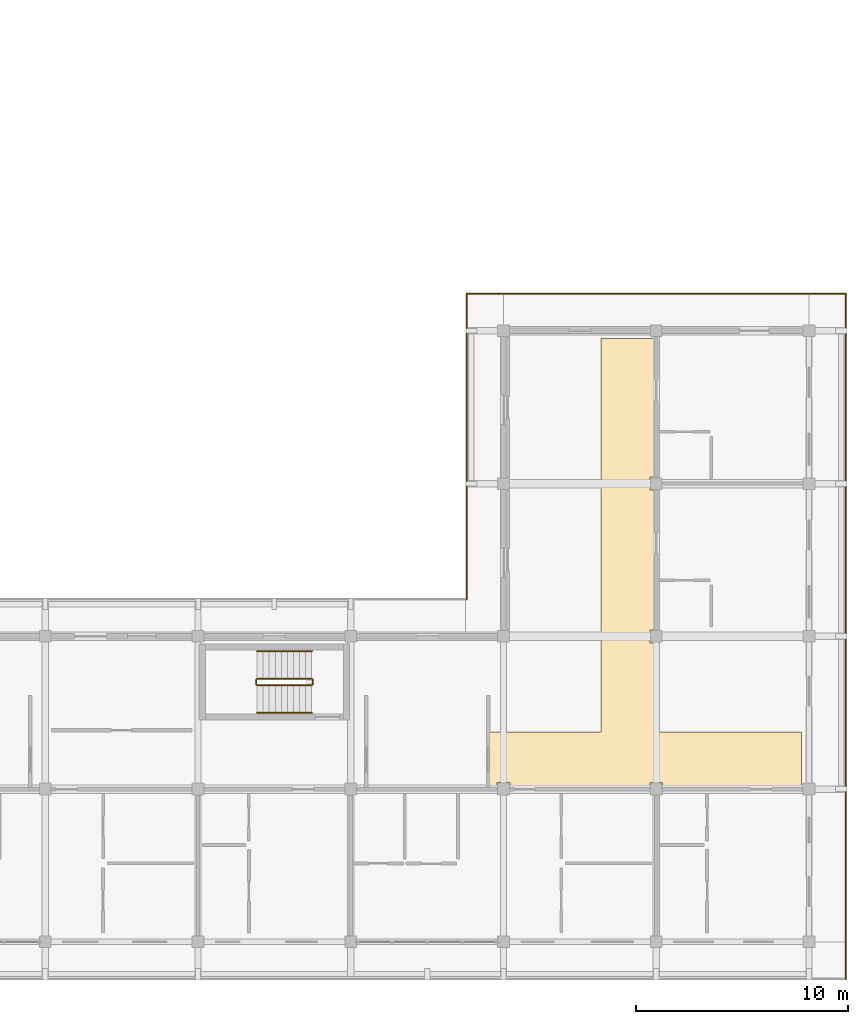
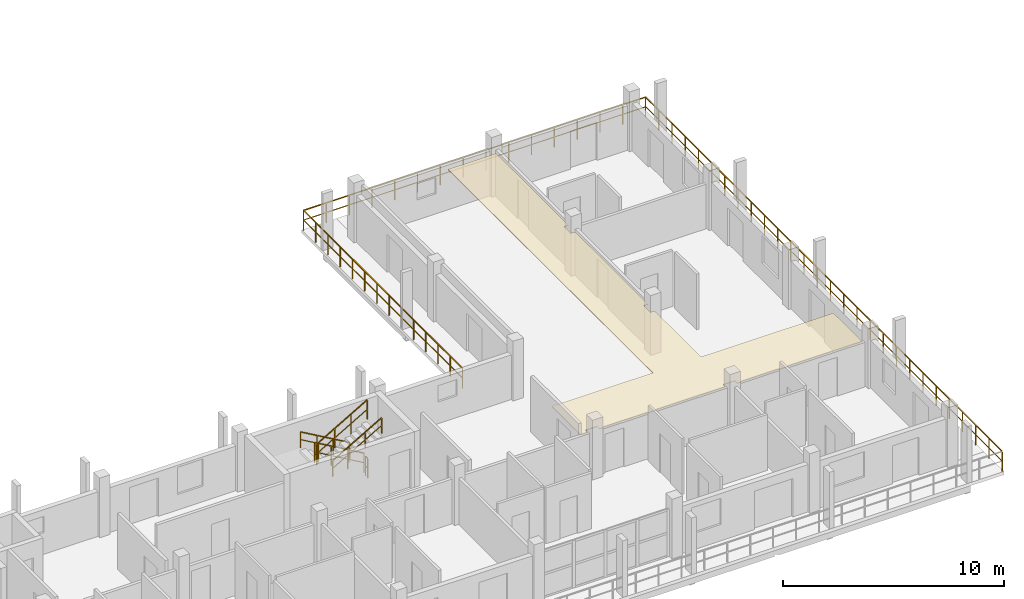
# One storey, part 56 of 60: 9 railings, 1 covering.
"""IFC4 building model written with IfcOpenShell, lengths in metres."""

from ifc_helpers import new_model, si_unit, direction, frame, origin, origin_2d, place, context, subcontext, project, spatial, polyline, rectangle, outline, extrude, material, layer, layer_set, type_object, element, save


model = new_model("IFC4")

# Units and contexts
model_context = context("Model", 3, precision=1e-05, world=origin(), true_north=direction((0.0, 1.0)))
body_context = subcontext(model_context, "Body", "Model", "MODEL_VIEW")
ifc_project = project(units=[si_unit("LENGTHUNIT", "METRE"), si_unit("AREAUNIT", "SQUARE_METRE"), si_unit("VOLUMEUNIT", "CUBIC_METRE"), si_unit("PLANEANGLEUNIT", "RADIAN"), si_unit("MASSUNIT", "GRAM", prefix="KILO")], contexts=[model_context])

# Site, building, storey
site_placement = place(None, origin())
site = spatial("IfcSite", under=ifc_project, at=site_placement, CompositionType="ELEMENT")
building_placement = place(site_placement, origin())
building = spatial("IfcBuilding", under=site, at=building_placement, Name="Suanplinth Sawtooth Commons", CompositionType="ELEMENT")
storey_placement = place(building_placement, frame((0.0, 0.0, 31.5)))
storey = spatial("IfcBuildingStorey", under=building, at=storey_placement, Name="L09", CompositionType="ELEMENT", Elevation=31.5)

# Covering
ifc_material_1 = material(Name="Mineral fibre acoustic tile")
ifc_layer = layer(ifc_material_1, 0.0400390625, Name="Perforated mineral-fibre acoustic suspended ceiling")
ifc_layer_set = layer_set([ifc_layer], Name="Mineral fibre acoustic tile")
covering_type = type_object("IfcCoveringType", Name="CV-CE01", PredefinedType="CEILING", material=ifc_layer_set)
covering_placement = place(storey_placement, frame((0.0, 0.0, 2.3798828125)))
element("IfcCovering", 1, at=covering_placement, inside=storey, type_object=covering_type, Name="L09 Block C Corridor Acoustic Ceiling", PredefinedType="CEILING", context=body_context, shape_type="SweptSolid", body=[
    extrude(outline(polyline([(172.1201171875, 9.89990234375), (177.39990234375, 9.89990234375), (177.39990234375, 28.43994140625), (179.919921875, 28.43994140625), (179.919921875, 21.905029296875), (179.695068359375, 21.905029296875), (179.695068359375, 21.294921875), (179.919921875, 21.294921875), (179.919921875, 14.705078125), (179.695068359375, 14.705078125), (179.695068359375, 14.094970703125), (179.919921875, 14.094970703125), (179.919921875, 9.89990234375), (186.840087890625, 9.89990234375), (186.840087890625, 7.280029296875), (180.304931640625, 7.280029296875), (180.304931640625, 7.5048828125), (179.695068359375, 7.5048828125), (179.695068359375, 7.280029296875), (173.10498046875, 7.280029296875), (173.10498046875, 7.5048828125), (172.4951171875, 7.5048828125), (172.4951171875, 7.280029296875), (172.1201171875, 7.280029296875), (172.1201171875, 9.89990234375)])), origin(), (0.0, 0.0, 1.0), 0.0400390625),
])

# Railings
ifc_material_2 = material(Name="Powder-coated galvanized steel", Category="steel")
railing_type_1 = type_object("IfcRailingType", Name="GR-01", PredefinedType="BALUSTRADE", material=ifc_material_2)
railing_1_placement = place(storey_placement, frame((171.06005859375, 16.139892578125, 0.0)))
element("IfcRailing", 2, at=railing_1_placement, inside=storey, type_object=railing_type_1, Name="L09 Block C Perimeter Balustrade 3", PredefinedType="BALUSTRADE", context=body_context, shape_type="SweptSolid", body=[
    extrude(rectangle(XDim=0.048095703125, YDim=0.048095703125, at=origin_2d()), frame((0.0, 0.0, 1.09619140625), z_axis=(0.0, 1.0, 0.0), x_axis=(-1.0, 0.0, 0.0)), (0.0, 0.0, 1.0), 14.400146484375),
    extrude(rectangle(XDim=0.03369140625, YDim=0.03369140625, at=origin_2d()), frame((0.0, 0.0, 0.56005859375), z_axis=(0.0, 1.0, 0.0), x_axis=(-1.0, 0.0, 0.0)), (0.0, 0.0, 1.0), 14.400146484375),
    extrude(rectangle(XDim=0.0419921875, YDim=0.0419921875, at=origin_2d()), origin(), (0.0, 0.0, 1.0), 1.072021484375),
    extrude(rectangle(XDim=0.0419921875, YDim=0.0419921875, at=origin_2d()), frame((0.0, 1.107666015625, 0.0)), (0.0, 0.0, 1.0), 1.072021484375),
    extrude(rectangle(XDim=0.0419921875, YDim=0.0419921875, at=origin_2d()), frame((0.0, 2.21533203125, 0.0)), (0.0, 0.0, 1.0), 1.072021484375),
    extrude(rectangle(XDim=0.0419921875, YDim=0.0419921875, at=origin_2d()), frame((0.0, 3.322998046875, 0.0)), (0.0, 0.0, 1.0), 1.072021484375),
    extrude(rectangle(XDim=0.0419921875, YDim=0.0419921875, at=origin_2d()), frame((0.0, 4.430908203125, 0.0)), (0.0, 0.0, 1.0), 1.072021484375),
    extrude(rectangle(XDim=0.0419921875, YDim=0.0419921875, at=origin_2d()), frame((0.0, 5.53857421875, 0.0)), (0.0, 0.0, 1.0), 1.072021484375),
    extrude(rectangle(XDim=0.0419921875, YDim=0.0419921875, at=origin_2d()), frame((0.0, 6.646240234375, 0.0)), (0.0, 0.0, 1.0), 1.072021484375),
    extrude(rectangle(XDim=0.0419921875, YDim=0.0419921875, at=origin_2d()), frame((0.0, 7.75390625, 0.0)), (0.0, 0.0, 1.0), 1.072021484375),
    extrude(rectangle(XDim=0.0419921875, YDim=0.0419921875, at=origin_2d()), frame((0.0, 8.861572265625, 0.0)), (0.0, 0.0, 1.0), 1.072021484375),
    extrude(rectangle(XDim=0.0419921875, YDim=0.0419921875, at=origin_2d()), frame((0.0, 9.96923828125, 0.0)), (0.0, 0.0, 1.0), 1.072021484375),
    extrude(rectangle(XDim=0.0419921875, YDim=0.0419921875, at=origin_2d()), frame((0.0, 11.0771484375, 0.0)), (0.0, 0.0, 1.0), 1.072021484375),
    extrude(rectangle(XDim=0.0419921875, YDim=0.0419921875, at=origin_2d()), frame((0.0, 12.184814453125, 0.0)), (0.0, 0.0, 1.0), 1.072021484375),
    extrude(rectangle(XDim=0.0419921875, YDim=0.0419921875, at=origin_2d()), frame((0.0, 13.29248046875, 0.0)), (0.0, 0.0, 1.0), 1.072021484375),
    extrude(rectangle(XDim=0.0419921875, YDim=0.0419921875, at=origin_2d()), frame((0.0, 14.400146484375, 0.0)), (0.0, 0.0, 1.0), 1.072021484375),
])
railing_2_placement = place(storey_placement, frame((171.06005859375, 30.5400390625, 0.0)))
element("IfcRailing", 3, at=railing_2_placement, inside=storey, type_object=railing_type_1, Name="L09 Block C Perimeter Balustrade 4", PredefinedType="BALUSTRADE", context=body_context, shape_type="SweptSolid", body=[
    extrude(rectangle(XDim=0.048095703125, YDim=0.048095703125, at=origin_2d()), frame((0.0, 0.0, 1.09619140625), z_axis=(1.0, 0.0, 0.0), x_axis=(0.0, 1.0, 0.0)), (0.0, 0.0, 1.0), 17.8798828125),
    extrude(rectangle(XDim=0.03369140625, YDim=0.03369140625, at=origin_2d()), frame((0.0, 0.0, 0.56005859375), z_axis=(1.0, 0.0, 0.0), x_axis=(0.0, 1.0, 0.0)), (0.0, 0.0, 1.0), 17.8798828125),
    extrude(rectangle(XDim=0.0419921875, YDim=0.0419921875, at=origin_2d()), origin(), (0.0, 0.0, 1.0), 1.072021484375),
    extrude(rectangle(XDim=0.0419921875, YDim=0.0419921875, at=origin_2d()), frame((1.19189453125, 0.0, 0.0)), (0.0, 0.0, 1.0), 1.072021484375),
    extrude(rectangle(XDim=0.0419921875, YDim=0.0419921875, at=origin_2d()), frame((2.384033203125, 0.0, 0.0)), (0.0, 0.0, 1.0), 1.072021484375),
    extrude(rectangle(XDim=0.0419921875, YDim=0.0419921875, at=origin_2d()), frame((3.575927734375, 0.0, 0.0)), (0.0, 0.0, 1.0), 1.072021484375),
    extrude(rectangle(XDim=0.0419921875, YDim=0.0419921875, at=origin_2d()), frame((4.76806640625, 0.0, 0.0)), (0.0, 0.0, 1.0), 1.072021484375),
    extrude(rectangle(XDim=0.0419921875, YDim=0.0419921875, at=origin_2d()), frame((5.9599609375, 0.0, 0.0)), (0.0, 0.0, 1.0), 1.072021484375),
    extrude(rectangle(XDim=0.0419921875, YDim=0.0419921875, at=origin_2d()), frame((7.15185546875, 0.0, 0.0)), (0.0, 0.0, 1.0), 1.072021484375),
    extrude(rectangle(XDim=0.0419921875, YDim=0.0419921875, at=origin_2d()), frame((8.343994140625, 0.0, 0.0)), (0.0, 0.0, 1.0), 1.072021484375),
    extrude(rectangle(XDim=0.0419921875, YDim=0.0419921875, at=origin_2d()), frame((9.535888671875, 0.0, 0.0)), (0.0, 0.0, 1.0), 1.072021484375),
    extrude(rectangle(XDim=0.0419921875, YDim=0.0419921875, at=origin_2d()), frame((10.72802734375, 0.0, 0.0)), (0.0, 0.0, 1.0), 1.072021484375),
    extrude(rectangle(XDim=0.0419921875, YDim=0.0419921875, at=origin_2d()), frame((11.919921875, 0.0, 0.0)), (0.0, 0.0, 1.0), 1.072021484375),
    extrude(rectangle(XDim=0.0419921875, YDim=0.0419921875, at=origin_2d()), frame((13.11181640625, 0.0, 0.0)), (0.0, 0.0, 1.0), 1.072021484375),
    extrude(rectangle(XDim=0.0419921875, YDim=0.0419921875, at=origin_2d()), frame((14.303955078125, 0.0, 0.0)), (0.0, 0.0, 1.0), 1.072021484375),
    extrude(rectangle(XDim=0.0419921875, YDim=0.0419921875, at=origin_2d()), frame((15.495849609375, 0.0, 0.0)), (0.0, 0.0, 1.0), 1.072021484375),
    extrude(rectangle(XDim=0.0419921875, YDim=0.0419921875, at=origin_2d()), frame((16.68798828125, 0.0, 0.0)), (0.0, 0.0, 1.0), 1.072021484375),
    extrude(rectangle(XDim=0.0419921875, YDim=0.0419921875, at=origin_2d()), frame((17.8798828125, 0.0, 0.0)), (0.0, 0.0, 1.0), 1.072021484375),
])
railing_3_placement = place(storey_placement, frame((188.93994140625, 30.5400390625, 0.0)))
element("IfcRailing", 4, at=railing_3_placement, inside=storey, type_object=railing_type_1, Name="L09 Block C Perimeter Balustrade 5", PredefinedType="BALUSTRADE", context=body_context, shape_type="SweptSolid", body=[
    extrude(rectangle(XDim=0.048095703125, YDim=0.048095703125, at=origin_2d()), frame((0.0, 0.0, 1.09619140625), z_axis=(0.0, -1.0, 0.0), x_axis=(1.0, 0.0, 0.0)), (0.0, 0.0, 1.0), 32.280029296875),
    extrude(rectangle(XDim=0.03369140625, YDim=0.03369140625, at=origin_2d()), frame((0.0, 0.0, 0.56005859375), z_axis=(0.0, -1.0, 0.0), x_axis=(1.0, 0.0, 0.0)), (0.0, 0.0, 1.0), 32.280029296875),
    extrude(rectangle(XDim=0.0419921875, YDim=0.0419921875, at=origin_2d()), origin(), (0.0, 0.0, 1.0), 1.072021484375),
    extrude(rectangle(XDim=0.0419921875, YDim=0.0419921875, at=origin_2d()), frame((0.0, -1.195556640625, 0.0)), (0.0, 0.0, 1.0), 1.072021484375),
    extrude(rectangle(XDim=0.0419921875, YDim=0.0419921875, at=origin_2d()), frame((0.0, -2.39111328125, 0.0)), (0.0, 0.0, 1.0), 1.072021484375),
    extrude(rectangle(XDim=0.0419921875, YDim=0.0419921875, at=origin_2d()), frame((0.0, -3.586669921875, 0.0)), (0.0, 0.0, 1.0), 1.072021484375),
    extrude(rectangle(XDim=0.0419921875, YDim=0.0419921875, at=origin_2d()), frame((0.0, -4.7822265625, 0.0)), (0.0, 0.0, 1.0), 1.072021484375),
    extrude(rectangle(XDim=0.0419921875, YDim=0.0419921875, at=origin_2d()), frame((0.0, -5.977783203125, 0.0)), (0.0, 0.0, 1.0), 1.072021484375),
    extrude(rectangle(XDim=0.0419921875, YDim=0.0419921875, at=origin_2d()), frame((0.0, -7.17333984375, 0.0)), (0.0, 0.0, 1.0), 1.072021484375),
    extrude(rectangle(XDim=0.0419921875, YDim=0.0419921875, at=origin_2d()), frame((0.0, -8.368896484375, 0.0)), (0.0, 0.0, 1.0), 1.072021484375),
    extrude(rectangle(XDim=0.0419921875, YDim=0.0419921875, at=origin_2d()), frame((0.0, -9.564453125, 0.0)), (0.0, 0.0, 1.0), 1.072021484375),
    extrude(rectangle(XDim=0.0419921875, YDim=0.0419921875, at=origin_2d()), frame((0.0, -10.760009765625, 0.0)), (0.0, 0.0, 1.0), 1.072021484375),
    extrude(rectangle(XDim=0.0419921875, YDim=0.0419921875, at=origin_2d()), frame((0.0, -11.95556640625, 0.0)), (0.0, 0.0, 1.0), 1.072021484375),
    extrude(rectangle(XDim=0.0419921875, YDim=0.0419921875, at=origin_2d()), frame((0.0, -13.151123046875, 0.0)), (0.0, 0.0, 1.0), 1.072021484375),
    extrude(rectangle(XDim=0.0419921875, YDim=0.0419921875, at=origin_2d()), frame((0.0, -14.3466796875, 0.0)), (0.0, 0.0, 1.0), 1.072021484375),
    extrude(rectangle(XDim=0.0419921875, YDim=0.0419921875, at=origin_2d()), frame((0.0, -15.542236328125, 0.0)), (0.0, 0.0, 1.0), 1.072021484375),
    extrude(rectangle(XDim=0.0419921875, YDim=0.0419921875, at=origin_2d()), frame((0.0, -16.73779296875, 0.0)), (0.0, 0.0, 1.0), 1.072021484375),
    extrude(rectangle(XDim=0.0419921875, YDim=0.0419921875, at=origin_2d()), frame((0.0, -17.933349609375, 0.0)), (0.0, 0.0, 1.0), 1.072021484375),
    extrude(rectangle(XDim=0.0419921875, YDim=0.0419921875, at=origin_2d()), frame((0.0, -19.12890625, 0.0)), (0.0, 0.0, 1.0), 1.072021484375),
    extrude(rectangle(XDim=0.0419921875, YDim=0.0419921875, at=origin_2d()), frame((0.0, -20.324462890625, 0.0)), (0.0, 0.0, 1.0), 1.072021484375),
    extrude(rectangle(XDim=0.0419921875, YDim=0.0419921875, at=origin_2d()), frame((0.0, -21.52001953125, 0.0)), (0.0, 0.0, 1.0), 1.072021484375),
    extrude(rectangle(XDim=0.0419921875, YDim=0.0419921875, at=origin_2d()), frame((0.0, -22.715576171875, 0.0)), (0.0, 0.0, 1.0), 1.072021484375),
    extrude(rectangle(XDim=0.0419921875, YDim=0.0419921875, at=origin_2d()), frame((0.0, -23.9111328125, 0.0)), (0.0, 0.0, 1.0), 1.072021484375),
    extrude(rectangle(XDim=0.0419921875, YDim=0.0419921875, at=origin_2d()), frame((0.0, -25.106689453125, 0.0)), (0.0, 0.0, 1.0), 1.072021484375),
    extrude(rectangle(XDim=0.0419921875, YDim=0.0419921875, at=origin_2d()), frame((0.0, -26.30224609375, 0.0)), (0.0, 0.0, 1.0), 1.072021484375),
    extrude(rectangle(XDim=0.0419921875, YDim=0.0419921875, at=origin_2d()), frame((0.0, -27.497802734375, 0.0)), (0.0, 0.0, 1.0), 1.072021484375),
    extrude(rectangle(XDim=0.0419921875, YDim=0.0419921875, at=origin_2d()), frame((0.0, -28.693359375, 0.0)), (0.0, 0.0, 1.0), 1.072021484375),
    extrude(rectangle(XDim=0.0419921875, YDim=0.0419921875, at=origin_2d()), frame((0.0, -29.888916015625, 0.0)), (0.0, 0.0, 1.0), 1.072021484375),
    extrude(rectangle(XDim=0.0419921875, YDim=0.0419921875, at=origin_2d()), frame((0.0, -31.08447265625, 0.0)), (0.0, 0.0, 1.0), 1.072021484375),
    extrude(rectangle(XDim=0.0419921875, YDim=0.0419921875, at=origin_2d()), frame((0.0, -32.280029296875, 0.0)), (0.0, 0.0, 1.0), 1.072021484375),
])
ifc_material_3 = material(Name="Stainless steel Grade 304", Category="steel")
railing_type_2 = type_object("IfcRailingType", Name="GR-04", PredefinedType="GUARDRAIL", material=ifc_material_3)
railing_4_placement = place(storey_placement, frame((163.75, 12.39990234375, 0.1650390625)))
element("IfcRailing", 5, at=railing_4_placement, inside=storey, type_object=railing_type_2, Name="L09 ST-S2 Guard 1", PredefinedType="GUARDRAIL", context=body_context, shape_type="SweptSolid", body=[
    extrude(rectangle(XDim=0.048095703125, YDim=0.048095703125, at=origin_2d()), frame((0.0, 0.0, 1.076171875), z_axis=(-0.865441324677, 0.0, 0.50101029285), x_axis=(0.0, -1.0, 0.0)), (0.0, 0.0, 1.0), 2.963623046875),
    extrude(rectangle(XDim=0.03369140625, YDim=0.03369140625, at=origin_2d()), frame((0.0, 0.0, 0.550048828125), z_axis=(-0.865441324677, 0.0, 0.50101029285), x_axis=(0.0, -1.0, 0.0)), (0.0, 0.0, 1.0), 2.963623046875),
    extrude(rectangle(XDim=0.0419921875, YDim=0.0419921875, at=origin_2d()), origin(), (0.0, 0.0, 1.0), 1.052001953125),
    extrude(rectangle(XDim=0.0419921875, YDim=0.0419921875, at=origin_2d()), frame((-0.85498046875, 0.0, 0.494873046875)), (0.0, 0.0, 1.0), 1.052001953125),
    extrude(rectangle(XDim=0.0419921875, YDim=0.0419921875, at=origin_2d()), frame((-1.7099609375, 0.0, 0.989990234375)), (0.0, 0.0, 1.0), 1.052001953125),
    extrude(rectangle(XDim=0.0419921875, YDim=0.0419921875, at=origin_2d()), frame((-2.56494140625, 0.0, 1.48486328125)), (0.0, 0.0, 1.0), 1.052001953125),
])
railing_5_placement = place(storey_placement, frame((161.135009765625, 12.35009765625, 1.64990234375)))
element("IfcRailing", 6, at=railing_5_placement, inside=storey, type_object=railing_type_2, Name="L09 ST-S2 Guard 2", PredefinedType="GUARDRAIL", context=body_context, shape_type="SweptSolid", body=[
    extrude(rectangle(XDim=0.048095703125, YDim=0.048095703125, at=origin_2d()), frame((0.0, 0.0, 1.076171875), z_axis=(0.0, -1.0, 0.0), x_axis=(1.0, 0.0, 0.0)), (0.0, 0.0, 1.0), 0.2001953125),
    extrude(rectangle(XDim=0.03369140625, YDim=0.03369140625, at=origin_2d()), frame((0.0, 0.0, 0.550048828125), z_axis=(0.0, -1.0, 0.0), x_axis=(1.0, 0.0, 0.0)), (0.0, 0.0, 1.0), 0.2001953125),
    extrude(rectangle(XDim=0.0419921875, YDim=0.0419921875, at=origin_2d()), origin(), (0.0, 0.0, 1.0), 1.052001953125),
    extrude(rectangle(XDim=0.0419921875, YDim=0.0419921875, at=origin_2d()), frame((0.0, -0.2001953125, 0.0)), (0.0, 0.0, 1.0), 1.052001953125),
])
railing_6_placement = place(storey_placement, frame((161.18505859375, 12.10009765625, 1.81494140625)))
element("IfcRailing", 7, at=railing_6_placement, inside=storey, type_object=railing_type_2, Name="L09 ST-S2 Guard 3", PredefinedType="GUARDRAIL", context=body_context, shape_type="SweptSolid", body=[
    extrude(rectangle(XDim=0.048095703125, YDim=0.048095703125, at=origin_2d()), frame((0.0, 0.0, 1.076171875), z_axis=(0.865405606168, 0.0, 0.501071987656), x_axis=(0.0, 1.0, 0.0)), (0.0, 0.0, 1.0), 2.9638671875),
    extrude(rectangle(XDim=0.03369140625, YDim=0.03369140625, at=origin_2d()), frame((0.0, 0.0, 0.550048828125), z_axis=(0.865405606168, 0.0, 0.501071987656), x_axis=(0.0, 1.0, 0.0)), (0.0, 0.0, 1.0), 2.9638671875),
    extrude(rectangle(XDim=0.0419921875, YDim=0.0419921875, at=origin_2d()), origin(), (0.0, 0.0, 1.0), 1.052001953125),
    extrude(rectangle(XDim=0.0419921875, YDim=0.0419921875, at=origin_2d()), frame((0.85498046875, 0.0, 0.4951171875)), (0.0, 0.0, 1.0), 1.052001953125),
    extrude(rectangle(XDim=0.0419921875, YDim=0.0419921875, at=origin_2d()), frame((1.7099609375, 0.0, 0.989990234375)), (0.0, 0.0, 1.0), 1.052001953125),
    extrude(rectangle(XDim=0.0419921875, YDim=0.0419921875, at=origin_2d()), frame((2.56494140625, 0.0, 1.485107421875)), (0.0, 0.0, 1.0), 1.052001953125),
])
railing_7_placement = place(storey_placement, frame((163.800048828125, 12.35009765625, 0.0)))
element("IfcRailing", 8, at=railing_7_placement, inside=storey, type_object=railing_type_2, Name="L09 ST-S2 Guard 4", PredefinedType="GUARDRAIL", context=body_context, shape_type="SweptSolid", body=[
    extrude(rectangle(XDim=0.048095703125, YDim=0.048095703125, at=origin_2d()), frame((0.0, 0.0, 1.076171875), z_axis=(0.0, -1.0, 0.0), x_axis=(1.0, 0.0, 0.0)), (0.0, 0.0, 1.0), 0.2001953125),
    extrude(rectangle(XDim=0.03369140625, YDim=0.03369140625, at=origin_2d()), frame((0.0, 0.0, 0.550048828125), z_axis=(0.0, -1.0, 0.0), x_axis=(1.0, 0.0, 0.0)), (0.0, 0.0, 1.0), 0.2001953125),
    extrude(rectangle(XDim=0.0419921875, YDim=0.0419921875, at=origin_2d()), origin(), (0.0, 0.0, 1.0), 1.052001953125),
    extrude(rectangle(XDim=0.0419921875, YDim=0.0419921875, at=origin_2d()), frame((0.0, -0.2001953125, 0.0)), (0.0, 0.0, 1.0), 1.052001953125),
])
railing_type_3 = type_object("IfcRailingType", Name="HR-01", PredefinedType="HANDRAIL", material=ifc_material_3)
railing_8_placement = place(storey_placement, frame((163.75, 13.699951171875, 0.1650390625)))
element("IfcRailing", 9, at=railing_8_placement, inside=storey, type_object=railing_type_3, Name="L09 ST-S2 Handrail 1", PredefinedType="HANDRAIL", context=body_context, shape_type="SweptSolid", body=[
    extrude(rectangle(XDim=0.048095703125, YDim=0.048095703125, at=origin_2d()), frame((0.0, 0.0, 0.8759765625), z_axis=(-0.865441324677, 0.0, 0.50101029285), x_axis=(0.0, -1.0, 0.0)), (0.0, 0.0, 1.0), 2.963623046875),
    extrude(rectangle(XDim=0.03369140625, YDim=0.03369140625, at=origin_2d()), frame((0.0, 0.0, 0.449951171875), z_axis=(-0.865441324677, 0.0, 0.50101029285), x_axis=(0.0, -1.0, 0.0)), (0.0, 0.0, 1.0), 2.963623046875),
    extrude(rectangle(XDim=0.0419921875, YDim=0.0419921875, at=origin_2d()), origin(), (0.0, 0.0, 1.0), 0.851806640625),
    extrude(rectangle(XDim=0.0419921875, YDim=0.0419921875, at=origin_2d()), frame((-0.85498046875, 0.0, 0.494873046875)), (0.0, 0.0, 1.0), 0.851806640625),
    extrude(rectangle(XDim=0.0419921875, YDim=0.0419921875, at=origin_2d()), frame((-1.7099609375, 0.0, 0.989990234375)), (0.0, 0.0, 1.0), 0.851806640625),
    extrude(rectangle(XDim=0.0419921875, YDim=0.0419921875, at=origin_2d()), frame((-2.56494140625, 0.0, 1.48486328125)), (0.0, 0.0, 1.0), 0.851806640625),
])
railing_9_placement = place(storey_placement, frame((161.18505859375, 10.800048828125, 1.81494140625)))
element("IfcRailing", 10, at=railing_9_placement, inside=storey, type_object=railing_type_3, Name="L09 ST-S2 Handrail 2", PredefinedType="HANDRAIL", context=body_context, shape_type="SweptSolid", body=[
    extrude(rectangle(XDim=0.048095703125, YDim=0.048095703125, at=origin_2d()), frame((0.0, 0.0, 0.8759765625), z_axis=(0.865405606168, 0.0, 0.501071987656), x_axis=(0.0, 1.0, 0.0)), (0.0, 0.0, 1.0), 2.9638671875),
    extrude(rectangle(XDim=0.03369140625, YDim=0.03369140625, at=origin_2d()), frame((0.0, 0.0, 0.449951171875), z_axis=(0.865405606168, 0.0, 0.501071987656), x_axis=(0.0, 1.0, 0.0)), (0.0, 0.0, 1.0), 2.9638671875),
    extrude(rectangle(XDim=0.0419921875, YDim=0.0419921875, at=origin_2d()), origin(), (0.0, 0.0, 1.0), 0.851806640625),
    extrude(rectangle(XDim=0.0419921875, YDim=0.0419921875, at=origin_2d()), frame((0.85498046875, 0.0, 0.4951171875)), (0.0, 0.0, 1.0), 0.851806640625),
    extrude(rectangle(XDim=0.0419921875, YDim=0.0419921875, at=origin_2d()), frame((1.7099609375, 0.0, 0.989990234375)), (0.0, 0.0, 1.0), 0.851806640625),
    extrude(rectangle(XDim=0.0419921875, YDim=0.0419921875, at=origin_2d()), frame((2.56494140625, 0.0, 1.485107421875)), (0.0, 0.0, 1.0), 0.851806640625),
])

save(model, "model.ifc")
